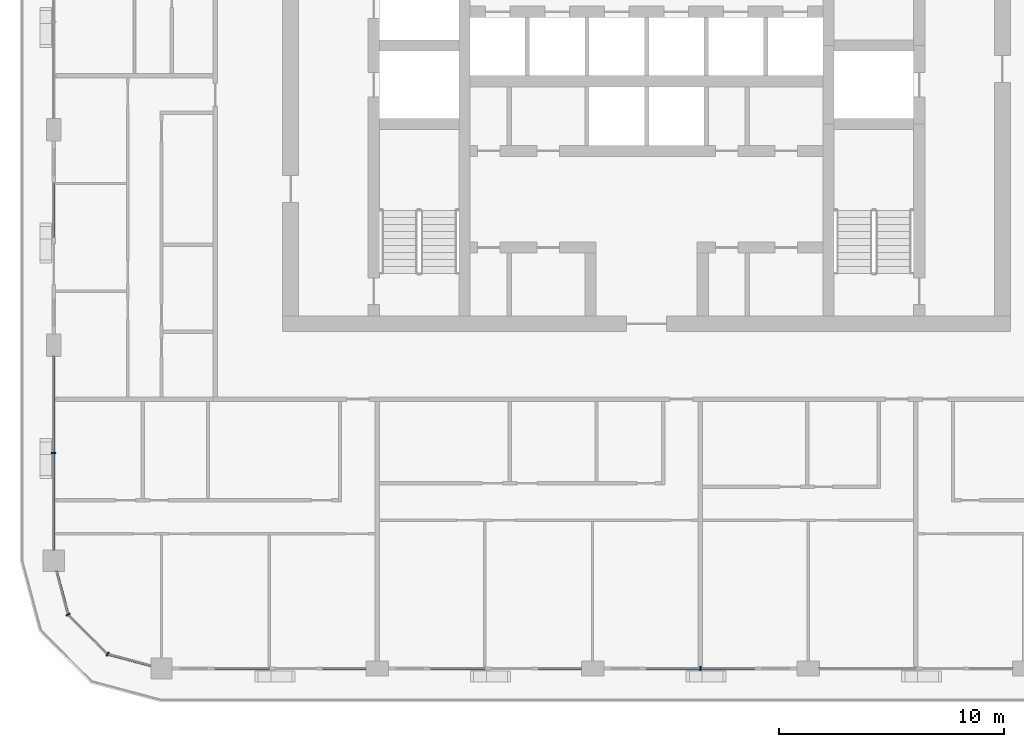
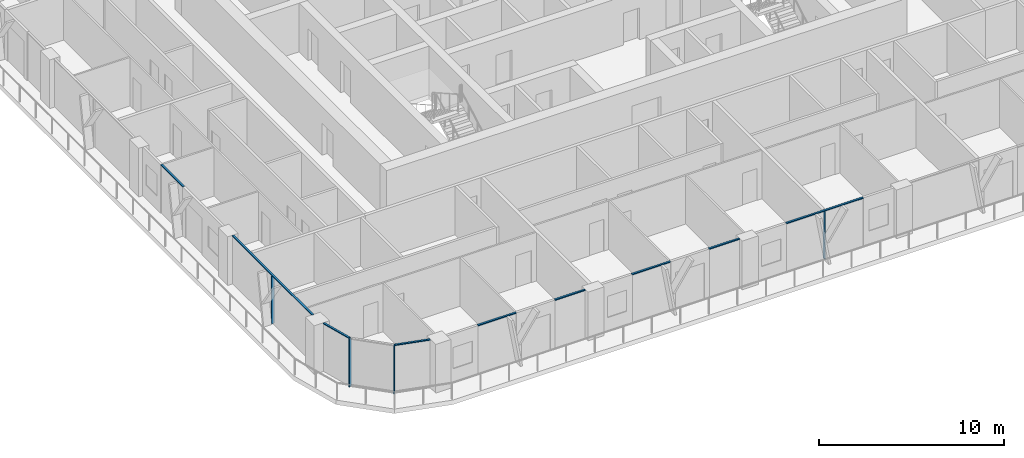
# One storey, part 2 of 22: 13 members, 6 elements without a shape of their own.
"""IFC4 building model written with IfcOpenShell, lengths in metres."""

import ifcopenshell
import ifcopenshell.guid

model = None  # the IFC model being written
_history = None  # IfcOwnerHistory: only IFC2X3 demands one
_inside = {}  # id of a spatial element -> (the spatial element, [elements in it])
_under = {}  # id of a project, library or spatial element -> (it, [spatial elements below it])
_declared = {}  # id of a project -> (the project, [libraries it declares])
_typed = {}  # id of a type object -> (the type object, [elements of that type])
_made_of = {}  # id of a material, layer set ... -> (it, [elements and type objects made of it])


def new_model(schema):
    """Start an empty IFC model of exactly this schema.

    Asked for "IFC4X3", IfcOpenShell would pick the latest addendum, in which some entities
    have other attributes; the version numbers below select the first issue.
    IFC2X3 requires an IfcOwnerHistory on every rooted entity: one is made here for all.
    """
    global model, _history
    if schema == "IFC4X3":
        model = ifcopenshell.file(schema_version=(4, 3, 0, 0))
    else:
        model = ifcopenshell.file(schema=schema)
    _inside.clear()
    _under.clear()
    _declared.clear()
    _typed.clear()
    _made_of.clear()
    _history = None
    if model.schema == "IFC2X3":
        org = make("IfcOrganization", Name="unknown")
        user = make(
            "IfcPersonAndOrganization",
            ThePerson=make("IfcPerson", FamilyName="unknown"),
            TheOrganization=org,
        )
        app = make(
            "IfcApplication",
            ApplicationDeveloper=org,
            Version="unknown",
            ApplicationFullName="unknown",
            ApplicationIdentifier="unknown",
        )
        _history = make(
            "IfcOwnerHistory",
            OwningUser=user,
            OwningApplication=app,
            ChangeAction="ADDED",
            CreationDate=0,
        )
    return model


def make(cls, **values):
    """One entity of the class cls with the attributes given. An attribute that is None is left unset."""
    return model.create_entity(
        cls, **{name: value for name, value in values.items() if value is not None}
    )


def rooted(cls, **values):
    """An entity with a GlobalId (a new one), such as an element, a storey or a relation."""
    return make(cls, GlobalId=ifcopenshell.guid.new(), OwnerHistory=_history, **values)


def si_unit(unit_type, name, prefix=None):
    """IfcSIUnit, for example si_unit("LENGTHUNIT", "METRE", prefix="MILLI")."""
    return make("IfcSIUnit", UnitType=unit_type, Prefix=prefix, Name=name)


def assignment(units):
    """IfcUnitAssignment: the units of a project."""
    return None if units is None else make("IfcUnitAssignment", Units=units)


def point(xyz):
    """IfcCartesianPoint."""
    return None if xyz is None else make("IfcCartesianPoint", Coordinates=xyz)


def direction(xyz):
    """IfcDirection."""
    return None if xyz is None else make("IfcDirection", DirectionRatios=xyz)


def frame(location, z_axis=None, x_axis=None):
    """IfcAxis2Placement3D, a coordinate frame: its origin and axes. An axis left out is left unset."""
    return make(
        "IfcAxis2Placement3D",
        Location=point(location),
        Axis=direction(z_axis),
        RefDirection=direction(x_axis),
    )


def frame_2d(location, x_axis=None):
    """IfcAxis2Placement2D, a coordinate frame in the plane: its origin and x axis."""
    return make(
        "IfcAxis2Placement2D", Location=point(location), RefDirection=direction(x_axis)
    )


def origin():
    """The frame at (0, 0, 0) with its axes left unset."""
    return frame((0.0, 0.0, 0.0))


def origin_2d():
    """The frame at (0, 0) in the plane with its x axis left unset."""
    return frame_2d((0.0, 0.0))


def place(relative_to, where):
    """IfcLocalPlacement: puts the frame where relative to a parent placement (None: the world)."""
    return make(
        "IfcLocalPlacement", PlacementRelTo=relative_to, RelativePlacement=where
    )


def context(
    kind, dimensions, precision=None, world=None, true_north=None, identifier=None
):
    """IfcGeometricRepresentationContext, for example the 3D "Model" context."""
    return make(
        "IfcGeometricRepresentationContext",
        ContextIdentifier=identifier,
        ContextType=kind,
        CoordinateSpaceDimension=dimensions,
        Precision=precision,
        WorldCoordinateSystem=world,
        TrueNorth=true_north,
    )


def subcontext(parent, identifier, kind, view, scale=None):
    """IfcGeometricRepresentationSubContext, for example "Body" below "Model"."""
    return make(
        "IfcGeometricRepresentationSubContext",
        ContextIdentifier=identifier,
        ContextType=kind,
        ParentContext=parent,
        TargetScale=scale,
        TargetView=view,
    )


def project(units=None, contexts=None):
    """IfcProject with its units and contexts."""
    return rooted(
        "IfcProject",
        Name="project",
        RepresentationContexts=contexts,
        UnitsInContext=assignment(units),
    )


def spatial(cls, under=None, at=None, **own):
    """A site, building, storey or space (cls), placed at a placement, below another one or the project."""
    s = rooted(cls, ObjectPlacement=at, **own)
    if under is not None:
        _under.setdefault(under.id(), (under, []))[1].append(s)
    return s


def profile(cls, at=None, kind="AREA", **sizes):
    """A parametric profile (cls). Its sizes go by their IFC names, for example OverallWidth=200.0."""
    return make(cls, ProfileType=kind, Position=at, **sizes)


def rectangle(**sizes):
    """IfcRectangleProfileDef."""
    return profile("IfcRectangleProfileDef", **sizes)


def extrude(swept, where, along, depth):
    """IfcExtrudedAreaSolid: the profile swept, set in the frame where, extruded along a direction by depth."""
    return make(
        "IfcExtrudedAreaSolid",
        SweptArea=swept,
        Position=where,
        ExtrudedDirection=direction(along),
        Depth=depth,
    )


def shape(context_of_items, identifier, shape_type, items):
    """IfcShapeRepresentation: the items that make up one representation, for example the "Body"."""
    return make(
        "IfcShapeRepresentation",
        ContextOfItems=context_of_items,
        RepresentationIdentifier=identifier,
        RepresentationType=shape_type,
        Items=items,
    )


def material(Name=None, Category=None):
    """IfcMaterial."""
    return make("IfcMaterial", Name=Name, Category=Category)


def layer(
    of_material, thickness, ventilated=None, Name=None, Category=None, Priority=None
):
    """IfcMaterialLayer: one layer of a wall or slab, of a material (None: an air gap)."""
    return make(
        "IfcMaterialLayer",
        Material=of_material,
        LayerThickness=thickness,
        IsVentilated=ventilated,
        Name=Name,
        Category=Category,
        Priority=Priority,
    )


def layer_set(layers, Name=None):
    """IfcMaterialLayerSet."""
    return make("IfcMaterialLayerSet", MaterialLayers=layers, LayerSetName=Name)


def material_profile(
    of_material, cross_section, Name=None, Category=None, Priority=None
):
    """IfcMaterialProfile: a cross section and its material."""
    return make(
        "IfcMaterialProfile",
        Name=Name,
        Material=of_material,
        Profile=cross_section,
        Priority=Priority,
        Category=Category,
    )


def profile_set(profiles, Name=None, composite=None):
    """IfcMaterialProfileSet."""
    return make(
        "IfcMaterialProfileSet",
        Name=Name,
        MaterialProfiles=profiles,
        CompositeProfile=composite,
    )


def made_of(thing, what):
    """Note that an element or type object is made of a material, layer set ...; save() writes the relation."""
    if what is not None:
        _made_of.setdefault(what.id(), (what, []))[1].append(thing)
    return thing


def type_object(cls, material=None, **own):
    """A type object (cls), such as IfcWallType, which elements share."""
    return made_of(rooted(cls, **own), material)


def element(
    cls,
    number,
    at=None,
    inside=None,
    cuts=None,
    type_object=None,
    material=None,
    context=None,
    identifier="Body",
    shape_type=None,
    held_by="IfcProductDefinitionShape",
    body=None,
    shapes=None,
    **own,
):
    """One element of the class cls, such as IfcWall. Its Tag is "e" and its number.

    at: its placement. inside: the storey or other place that contains it. cuts: it is an
    opening in that element (IfcRelVoidsElement). A single representation is given by context,
    identifier, shape_type and body (its items); several are given by shapes. held_by: the class
    of the entity that holds the representations. save() writes the other relations.
    """
    e = rooted(cls, Tag="e%d" % number, ObjectPlacement=at, **own)
    if body is not None:
        shapes = [shape(context, identifier, shape_type, body)]
    if shapes is not None:
        e.Representation = make(held_by, Representations=shapes)
    if inside is not None:
        _inside.setdefault(inside.id(), (inside, []))[1].append(e)
    if cuts is not None:
        rooted(
            "IfcRelVoidsElement", RelatingBuildingElement=cuts, RelatedOpeningElement=e
        )
    if type_object is not None:
        _typed.setdefault(type_object.id(), (type_object, []))[1].append(e)
    return made_of(e, material)


def aggregate(whole, parts):
    """IfcRelAggregates: a whole, such as a stair, and the parts it consists of."""
    return rooted("IfcRelAggregates", RelatingObject=whole, RelatedObjects=parts)


def save(model, path):
    """Write the relations noted so far, then the file.

    IfcRelAggregates (storeys below a building ...), IfcRelContainedInSpatialStructure (elements
    in a storey), IfcRelDefinesByType, IfcRelAssociatesMaterial and IfcRelDeclares: one each for
    every whole, place, type object, material and project.
    """
    for whole, parts in _under.values():
        aggregate(whole, parts)
    for where, things in _inside.values():
        rooted(
            "IfcRelContainedInSpatialStructure",
            RelatedElements=things,
            RelatingStructure=where,
        )
    for kind, things in _typed.values():
        rooted("IfcRelDefinesByType", RelatedObjects=things, RelatingType=kind)
    for what, things in _made_of.values():
        rooted("IfcRelAssociatesMaterial", RelatedObjects=things, RelatingMaterial=what)
    for by, libraries in _declared.values():
        rooted("IfcRelDeclares", RelatingContext=by, RelatedDefinitions=libraries)
    model.write(path)


model = new_model("IFC4")

# Units and contexts
model_context = context("Model", 3, precision=1e-05, world=origin(), true_north=direction((0.0, 1.0)))
body_context = subcontext(model_context, "Body", "Model", "MODEL_VIEW")
ifc_project = project(units=[si_unit("LENGTHUNIT", "METRE"), si_unit("AREAUNIT", "SQUARE_METRE"), si_unit("VOLUMEUNIT", "CUBIC_METRE"), si_unit("PLANEANGLEUNIT", "RADIAN"), si_unit("MASSUNIT", "GRAM", prefix="KILO")], contexts=[model_context])

# Site, building, storey
site_placement = place(None, origin())
site = spatial("IfcSite", under=ifc_project, at=site_placement, CompositionType="ELEMENT")
building_placement = place(site_placement, origin())
building = spatial("IfcBuilding", under=site, at=building_placement, Name="Madar Terraces", CompositionType="ELEMENT")
storey_placement = place(building_placement, frame((0.0, 0.0, 178.89990234375)))
storey = spatial("IfcBuildingStorey", under=building, at=storey_placement, Name="L46", CompositionType="ELEMENT", Elevation=178.89990234375)

# Curtain wall, member
ifc_material_1 = material(Name="Glass, ceramic frit dark grey, with black aluminium frame", Category="aluminium")
ifc_layer = layer(ifc_material_1, 0.199951171875)
ifc_layer_set = layer_set([ifc_layer], Name="Facade curtain wall, fritted glass")
curtain_wall_type = type_object("IfcCurtainWallType", Name="Facade curtain wall, fritted glass", PredefinedType="NOTDEFINED", material=ifc_layer_set)
curtain_wall_1_placement = place(storey_placement, origin())
curtain_wall_1 = element("IfcCurtainWall", 1, at=curtain_wall_1_placement, inside=storey, type_object=curtain_wall_type, Name="Outer skin curtain wall south bay 3", PredefinedType="NOTDEFINED")
ifc_material_2 = material(Name="Aluminium, black anodised", Category="aluminium")
ifc_material_profile_1 = material_profile(ifc_material_2, rectangle(XDim=0.199951171875, YDim=0.06005859375, at=origin_2d()), Name="Facade mullion 60x200")
ifc_profile_set_1 = profile_set([ifc_material_profile_1], Name="Aluminium, black anodised")
member_type_1 = type_object("IfcMemberType", Name="Facade mullion 60x200", PredefinedType="MULLION", material=ifc_profile_set_1)
member_1_placement = place(storey_placement, frame((33.60009765625, 0.0, 0.0), z_axis=(0.0, 0.0, 1.0), x_axis=(0.0, 1.0, 0.0)))
member_1 = element("IfcMember", 2, at=member_1_placement, type_object=member_type_1, Name="Mullion 1", PredefinedType="MULLION", context=body_context, shape_type="SweptSolid", body=[
    extrude(rectangle(XDim=0.199951171875, YDim=0.06005859375, at=origin_2d()), origin(), (0.0, 0.0, 1.0), 3.14013671875),
])

curtain_wall_2_placement = place(storey_placement, origin())
curtain_wall_2 = element("IfcCurtainWall", 3, at=curtain_wall_2_placement, inside=storey, type_object=curtain_wall_type, Name="Outer skin curtain wall west bay 4", PredefinedType="NOTDEFINED")
member_2_placement = place(storey_placement, frame((4.800048828125, 9.60009765625, 0.0), z_axis=(0.0, 0.0, 1.0), x_axis=(1.0, 0.0, 0.0)))
member_2 = element("IfcMember", 4, at=member_2_placement, type_object=member_type_1, Name="Mullion 1", PredefinedType="MULLION", context=body_context, shape_type="SweptSolid", body=[
    extrude(rectangle(XDim=0.199951171875, YDim=0.06005859375, at=origin_2d()), origin(), (0.0, 0.0, 1.0), 3.14013671875),
])

# Curtain wall, members
curtain_wall_3_placement = place(storey_placement, origin())
curtain_wall_3 = element("IfcCurtainWall", 5, at=curtain_wall_3_placement, inside=storey, type_object=curtain_wall_type, Name="Outer skin curtain wall south-west corner", PredefinedType="NOTDEFINED")
member_3_placement = place(storey_placement, frame((5.443115234375, 2.39990234375, 0.0), z_axis=(0.0, 0.0, 1.0), x_axis=(0.866025409797, 0.499999989586, 0.0)))
member_3 = element("IfcMember", 6, at=member_3_placement, type_object=member_type_1, Name="Mullion 1", PredefinedType="MULLION", context=body_context, shape_type="SweptSolid", body=[
    extrude(rectangle(XDim=0.199951171875, YDim=0.06005859375, at=origin_2d()), origin(), (0.0, 0.0, 1.0), 3.14013671875),
])
member_4_placement = place(storey_placement, frame((7.199951171875, 0.64306640625, 0.0), z_axis=(0.0, 0.0, 1.0), x_axis=(0.499999989586, 0.866025409797, 0.0)))
member_4 = element("IfcMember", 7, at=member_4_placement, type_object=member_type_1, Name="Mullion 2", PredefinedType="MULLION", context=body_context, shape_type="SweptSolid", body=[
    extrude(rectangle(XDim=0.199951171875, YDim=0.06005859375, at=origin_2d()), origin(), (0.0, 0.0, 1.0), 3.14013671875),
])

curtain_wall_4_placement = place(storey_placement, origin())
curtain_wall_4 = element("IfcCurtainWall", 8, at=curtain_wall_4_placement, inside=storey, type_object=curtain_wall_type, Name="Outer skin curtain wall south bay 1", PredefinedType="NOTDEFINED")
ifc_material_3 = material(Name="Aluminium, black anodised", Category="aluminium")
ifc_material_profile_2 = material_profile(ifc_material_3, rectangle(XDim=0.1201171875, YDim=0.06005859375, at=origin_2d()), Name="Facade transom 60x120")
ifc_profile_set_2 = profile_set([ifc_material_profile_2], Name="Aluminium, black anodised")
member_type_2 = type_object("IfcMemberType", Name="Facade transom 60x120", PredefinedType="USERDEFINED", material=ifc_profile_set_2)
member_5_placement = place(storey_placement, frame((12.0, 0.0, 3.170166015625), z_axis=(1.0, 0.0, 0.0), x_axis=(0.0, 1.0, 0.0)))
member_5 = element("IfcMember", 9, at=member_5_placement, type_object=member_type_2, Name="Transom 1", ObjectType="TRANSOM", PredefinedType="USERDEFINED", context=body_context, shape_type="SweptSolid", body=[
    extrude(rectangle(XDim=0.1201171875, YDim=0.06005859375, at=origin_2d()), origin(), (0.0, 0.0, 1.0), 2.39990234375),
])
member_6_placement = place(storey_placement, frame((16.800048828125, 0.0, 3.170166015625), z_axis=(1.0, 0.0, 0.0), x_axis=(0.0, 1.0, 0.0)))
member_6 = element("IfcMember", 10, at=member_6_placement, type_object=member_type_2, Name="Transom 2", ObjectType="TRANSOM", PredefinedType="USERDEFINED", context=body_context, shape_type="SweptSolid", body=[
    extrude(rectangle(XDim=0.1201171875, YDim=0.06005859375, at=origin_2d()), origin(), (0.0, 0.0, 1.0), 1.89990234375),
])
aggregate(curtain_wall_4, [member_5, member_6])

curtain_wall_5_placement = place(storey_placement, origin())
curtain_wall_5 = element("IfcCurtainWall", 11, at=curtain_wall_5_placement, inside=storey, type_object=curtain_wall_type, Name="Outer skin curtain wall south bay 2", PredefinedType="NOTDEFINED")
member_7_placement = place(storey_placement, frame((21.60009765625, 0.0, 3.170166015625), z_axis=(1.0, 0.0, 0.0), x_axis=(0.0, 1.0, 0.0)))
member_7 = element("IfcMember", 12, at=member_7_placement, type_object=member_type_2, Name="Transom 1", ObjectType="TRANSOM", PredefinedType="USERDEFINED", context=body_context, shape_type="SweptSolid", body=[
    extrude(rectangle(XDim=0.1201171875, YDim=0.06005859375, at=origin_2d()), origin(), (0.0, 0.0, 1.0), 2.39990234375),
])
member_8_placement = place(storey_placement, frame((26.39990234375, 0.0, 3.170166015625), z_axis=(1.0, 0.0, 0.0), x_axis=(0.0, 1.0, 0.0)))
member_8 = element("IfcMember", 13, at=member_8_placement, type_object=member_type_2, Name="Transom 2", ObjectType="TRANSOM", PredefinedType="USERDEFINED", context=body_context, shape_type="SweptSolid", body=[
    extrude(rectangle(XDim=0.1201171875, YDim=0.06005859375, at=origin_2d()), origin(), (0.0, 0.0, 1.0), 1.900146484375),
])
aggregate(curtain_wall_5, [member_7, member_8])

# Member
member_9_placement = place(storey_placement, frame((31.199951171875, 0.0, 3.170166015625), z_axis=(1.0, 0.0, 0.0), x_axis=(0.0, 1.0, 0.0)))
member_9 = element("IfcMember", 14, at=member_9_placement, type_object=member_type_2, Name="Transom 1", ObjectType="TRANSOM", PredefinedType="USERDEFINED", context=body_context, shape_type="SweptSolid", body=[
    extrude(rectangle(XDim=0.1201171875, YDim=0.06005859375, at=origin_2d()), origin(), (0.0, 0.0, 1.0), 4.800048828125),
])

aggregate(curtain_wall_1, [member_1, member_9])

# Curtain wall, member
curtain_wall_6_placement = place(storey_placement, origin())
curtain_wall_6 = element("IfcCurtainWall", 15, at=curtain_wall_6_placement, inside=storey, type_object=curtain_wall_type, Name="Outer skin curtain wall west bay 3", PredefinedType="NOTDEFINED")
member_10_placement = place(storey_placement, frame((4.800048828125, 21.60009765625, 3.170166015625), z_axis=(0.0, -1.0, 0.0), x_axis=(1.0, 0.0, 0.0)))
member_10 = element("IfcMember", 16, at=member_10_placement, type_object=member_type_2, Name="Transom 1", ObjectType="TRANSOM", PredefinedType="USERDEFINED", context=body_context, shape_type="SweptSolid", body=[
    extrude(rectangle(XDim=0.1201171875, YDim=0.06005859375, at=origin_2d()), origin(), (0.0, 0.0, 1.0), 2.400146484375),
])
aggregate(curtain_wall_6, [member_10])

# Member
member_11_placement = place(storey_placement, frame((4.800048828125, 13.89990234375, 3.170166015625), z_axis=(0.0, -1.0, 0.0), x_axis=(1.0, 0.0, 0.0)))
member_11 = element("IfcMember", 17, at=member_11_placement, type_object=member_type_2, Name="Transom 1", ObjectType="TRANSOM", PredefinedType="USERDEFINED", context=body_context, shape_type="SweptSolid", body=[
    extrude(rectangle(XDim=0.1201171875, YDim=0.06005859375, at=origin_2d()), origin(), (0.0, 0.0, 1.0), 8.625),
])

aggregate(curtain_wall_2, [member_2, member_11])

member_12_placement = place(storey_placement, frame((4.92724609375, 4.324951171875, 3.170166015625), z_axis=(0.258831412352, -0.96592251241, 0.0), x_axis=(0.96592251241, 0.258831412352, 0.0)))
member_12 = element("IfcMember", 18, at=member_12_placement, type_object=member_type_2, Name="Transom 1", ObjectType="TRANSOM", PredefinedType="USERDEFINED", context=body_context, shape_type="SweptSolid", body=[
    extrude(rectangle(XDim=0.1201171875, YDim=0.06005859375, at=origin_2d()), origin(), (0.0, 0.0, 1.0), 1.962890625),
])

member_13_placement = place(storey_placement, frame((7.22900390625, 0.63525390625, 3.170166015625), z_axis=(0.96592251241, -0.258831412352, 0.0), x_axis=(0.258831412352, 0.96592251241, 0.0)))
member_13 = element("IfcMember", 19, at=member_13_placement, type_object=member_type_2, Name="Transom 3", ObjectType="TRANSOM", PredefinedType="USERDEFINED", context=body_context, shape_type="SweptSolid", body=[
    extrude(rectangle(XDim=0.1201171875, YDim=0.06005859375, at=origin_2d()), origin(), (0.0, 0.0, 1.0), 1.962890625),
])

aggregate(curtain_wall_3, [member_3, member_12, member_4, member_13])

save(model, "model.ifc")
